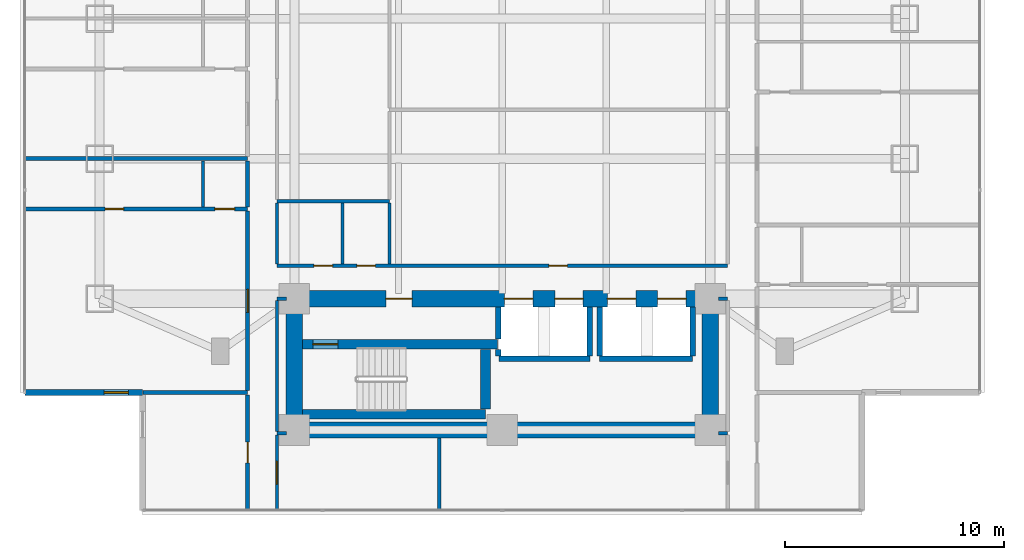
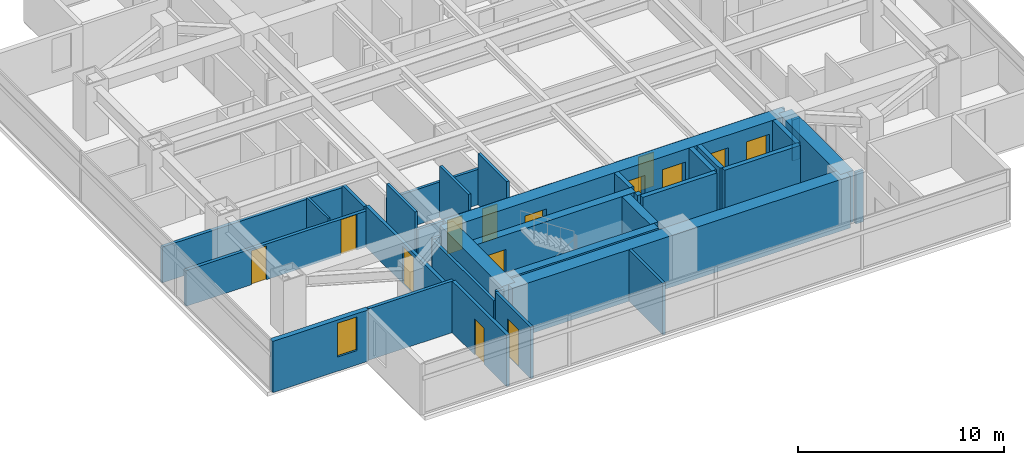
# One storey, part 13 of 25: 34 walls, 14 doors, 1 window, 15 openings.
"""IFC4 building model written with IfcOpenShell, lengths in metres."""

from ifc_helpers import new_model, si_unit, direction, frame, frame_2d, origin, place, context, subcontext, project, spatial, rectangle, extrude, material, layer, layer_set, type_object, element, fill, save


model = new_model("IFC4")

# Units and contexts
model_context = context("Model", 3, precision=1e-05, world=origin(), true_north=direction((0.0, 1.0)))
body_context = subcontext(model_context, "Body", "Model", "MODEL_VIEW")
ifc_project = project(units=[si_unit("LENGTHUNIT", "METRE"), si_unit("AREAUNIT", "SQUARE_METRE"), si_unit("VOLUMEUNIT", "CUBIC_METRE"), si_unit("PLANEANGLEUNIT", "RADIAN"), si_unit("MASSUNIT", "GRAM", prefix="KILO")], contexts=[model_context])

# Site, building, storey
site_placement = place(None, origin())
site = spatial("IfcSite", under=ifc_project, at=site_placement, CompositionType="ELEMENT")
building_placement = place(site_placement, origin())
building = spatial("IfcBuilding", under=site, at=building_placement, Name="Mirazonda Arch Towers", CompositionType="ELEMENT")
storey_placement = place(building_placement, frame((0.0, 0.0, 32.300048828125)))
storey = spatial("IfcBuildingStorey", under=building, at=storey_placement, Name="L08", CompositionType="ELEMENT", Elevation=32.300048828125)

# Wall
ifc_material_1 = material(Name="Concrete C50/60", Category="concrete")
ifc_layer_1 = layer(ifc_material_1, 0.449951171875, Name="WALL-CORE-450")
ifc_layer_set_1 = layer_set([ifc_layer_1], Name="Concrete C50/60")
wall_type_1 = type_object("IfcWallType", Name="WALL-CORE-450", PredefinedType="SHEAR", material=ifc_layer_set_1)
wall_1_placement = place(storey_placement, frame((11.3701171875, 13.1201171875, 0.0), z_axis=(0.0, 0.0, 1.0), x_axis=(1.0, 0.0, 0.0)))
element("IfcWall", 1, at=wall_1_placement, inside=storey, type_object=wall_type_1, Name="L08 Stair Core Shear Wall 003", PredefinedType="SHEAR", context=body_context, shape_type="SweptSolid", body=[
    extrude(rectangle(XDim=8.35986328125, YDim=0.449951171875, at=frame_2d((4.179931640625, 0.0))), origin(), (0.0, 0.0, 1.0), 3.06005859375),
])

# Wall, opening, door
wall_2_placement = place(storey_placement, frame((11.3701171875, 16.320068359375, 0.0), z_axis=(0.0, 0.0, 1.0), x_axis=(1.0, 0.0, 0.0)))
wall_2 = element("IfcWall", 2, at=wall_2_placement, inside=storey, type_object=wall_type_1, Name="L08 Stair Core Shear Wall 008", PredefinedType="SHEAR", context=body_context, shape_type="SweptSolid", body=[
    extrude(rectangle(XDim=8.909912109375, YDim=0.449951171875, at=frame_2d((4.455078125, 0.0))), origin(), (0.0, 0.0, 1.0), 3.06005859375),
])
opening_1_placement = place(wall_2_placement, frame((0.469970703125, 0.0, 0.0)))
opening_1 = element("IfcOpeningElement", 3, at=opening_1_placement, cuts=wall_2, Name="Opening DR-135", PredefinedType="OPENING", context=body_context, shape_type="SweptSolid", body=[
    extrude(rectangle(XDim=1.14990234375, YDim=2.199951171875, at=frame_2d((0.574951171875, 1.10009765625))), frame((0.0, 0.23486328125, 0.0), z_axis=(0.0, -1.0, 0.0), x_axis=(1.0, 0.0, 0.0)), (0.0, 0.0, 1.0), 0.469970703125),
])
ifc_material_2 = material(Name="Architectural Brushed Steel S355", Category="steel")
door_type_1 = type_object("IfcDoorType", Name="DOOR-STAIR-FD90-1150", OperationType="NOTDEFINED", PredefinedType="DOOR", material=ifc_material_2)
door_1_placement = place(opening_1_placement, origin())
door_1 = element("IfcDoor", 4, at=door_1_placement, inside=storey, type_object=door_type_1, Name="L08 Protected Exit Stair South Door", OperationType="SINGLE_SWING_LEFT", OverallHeight=2.199951171875, OverallWidth=1.14990234375, PredefinedType="DOOR", context=body_context, shape_type="SweptSolid", body=[
    extrude(rectangle(XDim=1.14990234375, YDim=2.199951171875, at=frame_2d((0.574951171875, 1.10009765625))), frame((0.0, 0.02490234375, 0.0), z_axis=(0.0, -1.0, 0.0), x_axis=(1.0, 0.0, 0.0)), (0.0, 0.0, 1.0), 0.050048828125),
])
fill(opening_1, door_1)

# Walls
wall_3_placement = place(storey_placement, frame((19.72998046875, 13.35498046875, 0.0), z_axis=(0.0, 0.0, 1.0), x_axis=(0.0, 1.0, 0.0)))
element("IfcWall", 5, at=wall_3_placement, inside=storey, type_object=wall_type_1, Name="L08 Stair Core Shear Wall 088", PredefinedType="SHEAR", context=body_context, shape_type="SweptSolid", body=[
    extrude(rectangle(XDim=2.72998046875, YDim=0.449951171875, at=frame_2d((1.364990234375, 0.0))), origin(), (0.0, 0.0, 1.0), 3.06005859375),
])
ifc_material_3 = material(Name="Concrete C60/75", Category="concrete")
ifc_layer_2 = layer(ifc_material_3, 0.75, Name="WALL-CORE-750")
ifc_layer_set_2 = layer_set([ifc_layer_2], Name="Concrete C60/75")
wall_type_2 = type_object("IfcWallType", Name="WALL-CORE-750", PredefinedType="SHEAR", material=ifc_layer_set_2)
wall_4_placement = place(storey_placement, frame((11.0, 12.39990234375, 0.0), z_axis=(0.0, 0.0, 1.0), x_axis=(1.0, 0.0, 0.0)))
element("IfcWall", 6, at=wall_4_placement, inside=storey, type_object=wall_type_2, Name="L08 T1S-S Core Shear Wall", PredefinedType="SHEAR", context=body_context, shape_type="SweptSolid", body=[
    extrude(rectangle(XDim=19.0, YDim=0.75, at=frame_2d((9.5, 0.0))), origin(), (0.0, 0.0, 1.0), 3.06005859375),
])
for number, where, z_axis, x_axis, name in (
    (7, (11.0, 12.39990234375, 0.0), (0.0, 0.0, 1.0), (0.0, 1.0, 0.0), "L08 T1S-W Core Shear Wall"),
    (8, (30.0, 12.39990234375, 0.0), (0.0, 0.0, 1.0), (0.0, 1.0, 0.0), "L08 T1S-E Core Shear Wall"),
):
    element("IfcWall", number, at=place(storey_placement, frame(where, z_axis=z_axis, x_axis=x_axis)), inside=storey, type_object=wall_type_2, Name=name, PredefinedType="SHEAR", context=body_context, shape_type="SweptSolid", body=[
        extrude(rectangle(XDim=6.0, YDim=0.75, at=frame_2d((3.0, 0.0))), origin(), (0.0, 0.0, 1.0), 3.06005859375),
    ])

# Wall, openings, doors
wall_5_placement = place(storey_placement, frame((11.0, 18.39990234375, 0.0), z_axis=(0.0, 0.0, 1.0), x_axis=(1.0, 0.0, 0.0)))
wall_5 = element("IfcWall", 9, at=wall_5_placement, inside=storey, type_object=wall_type_2, Name="L08 T1S-N Core Shear Wall", PredefinedType="SHEAR", context=body_context, shape_type="SweptSolid", body=[
    extrude(rectangle(XDim=19.0, YDim=0.75, at=frame_2d((9.5, 0.0))), origin(), (0.0, 0.0, 1.0), 3.06005859375),
])
opening_2_placement = place(wall_5_placement, frame((4.175048828125, 0.0, 0.0)))
opening_2 = element("IfcOpeningElement", 10, at=opening_2_placement, cuts=wall_5, Name="Opening DR-117", PredefinedType="OPENING", context=body_context, shape_type="SweptSolid", body=[
    extrude(rectangle(XDim=1.199951171875, YDim=2.25, at=frame_2d((0.60009765625, 1.125))), frame((0.0, 0.385009765625, 0.0), z_axis=(0.0, -1.0, 0.0), x_axis=(1.0, 0.0, 0.0)), (0.0, 0.0, 1.0), 0.77001953125),
])
opening_3_placement = place(wall_5_placement, frame((9.60009765625, 0.0, 0.0)))
opening_3 = element("IfcOpeningElement", 11, at=opening_3_placement, cuts=wall_5, Name="Opening LD-111", PredefinedType="OPENING", context=body_context, shape_type="SweptSolid", body=[
    extrude(rectangle(XDim=1.300048828125, YDim=2.300048828125, at=frame_2d((0.64990234375, 1.14990234375))), frame((0.0, 0.385009765625, 0.0), z_axis=(0.0, -1.0, 0.0), x_axis=(1.0, 0.0, 0.0)), (0.0, 0.0, 1.0), 0.77001953125),
])
opening_4_placement = place(wall_5_placement, frame((11.89990234375, 0.0, 0.0)))
opening_4 = element("IfcOpeningElement", 12, at=opening_4_placement, cuts=wall_5, Name="Opening LD-111", PredefinedType="OPENING", context=body_context, shape_type="SweptSolid", body=[
    extrude(rectangle(XDim=1.300048828125, YDim=2.300048828125, at=frame_2d((0.64990234375, 1.14990234375))), frame((0.0, 0.385009765625, 0.0), z_axis=(0.0, -1.0, 0.0), x_axis=(1.0, 0.0, 0.0)), (0.0, 0.0, 1.0), 0.77001953125),
])
opening_5_placement = place(wall_5_placement, frame((14.300048828125, 0.0, 0.0)))
opening_5 = element("IfcOpeningElement", 13, at=opening_5_placement, cuts=wall_5, Name="Opening LD-111", PredefinedType="OPENING", context=body_context, shape_type="SweptSolid", body=[
    extrude(rectangle(XDim=1.300048828125, YDim=2.300048828125, at=frame_2d((0.64990234375, 1.14990234375))), frame((0.0, 0.385009765625, 0.0), z_axis=(0.0, -1.0, 0.0), x_axis=(1.0, 0.0, 0.0)), (0.0, 0.0, 1.0), 0.77001953125),
])
opening_6_placement = place(wall_5_placement, frame((16.60009765625, 0.0, 0.0)))
opening_6 = element("IfcOpeningElement", 14, at=opening_6_placement, cuts=wall_5, Name="Opening LD-111", PredefinedType="OPENING", context=body_context, shape_type="SweptSolid", body=[
    extrude(rectangle(XDim=1.300048828125, YDim=2.300048828125, at=frame_2d((0.64990234375, 1.14990234375))), frame((0.0, 0.385009765625, 0.0), z_axis=(0.0, -1.0, 0.0), x_axis=(1.0, 0.0, 0.0)), (0.0, 0.0, 1.0), 0.77001953125),
])
door_type_2 = type_object("IfcDoorType", Name="DOOR-FFL-FD90-1200", OperationType="NOTDEFINED", PredefinedType="DOOR", material=ifc_material_2)
door_2_placement = place(opening_2_placement, origin())
door_2 = element("IfcDoor", 15, at=door_2_placement, inside=storey, type_object=door_type_2, Name="L08 South Core Stair & Lift Lobby Door", OperationType="SINGLE_SWING_RIGHT", OverallHeight=2.25, OverallWidth=1.199951171875, PredefinedType="DOOR", context=body_context, shape_type="SweptSolid", body=[
    extrude(rectangle(XDim=1.199951171875, YDim=2.25, at=frame_2d((0.60009765625, 1.125))), frame((0.0, 0.02490234375, 0.0), z_axis=(0.0, -1.0, 0.0), x_axis=(1.0, 0.0, 0.0)), (0.0, 0.0, 1.0), 0.050048828125),
])
fill(opening_2, door_2)
door_type_3 = type_object("IfcDoorType", Name="DOOR-LIFT-LAND-1300", OperationType="NOTDEFINED", PredefinedType="DOOR", material=ifc_material_2)
door_3_placement = place(opening_3_placement, origin())
door_3 = element("IfcDoor", 16, at=door_3_placement, inside=storey, type_object=door_type_3, Name="L08 Lift Landing Sliding Door PL-T1M1", OperationType="DOUBLE_DOOR_SLIDING", OverallHeight=2.300048828125, OverallWidth=1.300048828125, PredefinedType="DOOR", context=body_context, shape_type="SweptSolid", body=[
    extrude(rectangle(XDim=1.300048828125, YDim=2.300048828125, at=frame_2d((0.64990234375, 1.14990234375))), frame((0.0, 0.02490234375, 0.0), z_axis=(0.0, -1.0, 0.0), x_axis=(1.0, 0.0, 0.0)), (0.0, 0.0, 1.0), 0.050048828125),
])
fill(opening_3, door_3)
door_4_placement = place(opening_4_placement, origin())
door_4 = element("IfcDoor", 17, at=door_4_placement, inside=storey, type_object=door_type_3, Name="L08 Lift Landing Sliding Door PL-T1M2", OperationType="DOUBLE_DOOR_SLIDING", OverallHeight=2.300048828125, OverallWidth=1.300048828125, PredefinedType="DOOR", context=body_context, shape_type="SweptSolid", body=[
    extrude(rectangle(XDim=1.300048828125, YDim=2.300048828125, at=frame_2d((0.64990234375, 1.14990234375))), frame((0.0, 0.02490234375, 0.0), z_axis=(0.0, -1.0, 0.0), x_axis=(1.0, 0.0, 0.0)), (0.0, 0.0, 1.0), 0.050048828125),
])
fill(opening_4, door_4)
door_5_placement = place(opening_5_placement, origin())
door_5 = element("IfcDoor", 18, at=door_5_placement, inside=storey, type_object=door_type_3, Name="L08 Lift Landing Sliding Door PL-T1H1", OperationType="DOUBLE_DOOR_SLIDING", OverallHeight=2.300048828125, OverallWidth=1.300048828125, PredefinedType="DOOR", context=body_context, shape_type="SweptSolid", body=[
    extrude(rectangle(XDim=1.300048828125, YDim=2.300048828125, at=frame_2d((0.64990234375, 1.14990234375))), frame((0.0, 0.02490234375, 0.0), z_axis=(0.0, -1.0, 0.0), x_axis=(1.0, 0.0, 0.0)), (0.0, 0.0, 1.0), 0.050048828125),
])
fill(opening_5, door_5)
door_6_placement = place(opening_6_placement, origin())
door_6 = element("IfcDoor", 19, at=door_6_placement, inside=storey, type_object=door_type_3, Name="L08 Lift Landing Sliding Door PL-T1H2", OperationType="DOUBLE_DOOR_SLIDING", OverallHeight=2.300048828125, OverallWidth=1.300048828125, PredefinedType="DOOR", context=body_context, shape_type="SweptSolid", body=[
    extrude(rectangle(XDim=1.300048828125, YDim=2.300048828125, at=frame_2d((0.64990234375, 1.14990234375))), frame((0.0, 0.02490234375, 0.0), z_axis=(0.0, -1.0, 0.0), x_axis=(1.0, 0.0, 0.0)), (0.0, 0.0, 1.0), 0.050048828125),
])
fill(opening_6, door_6)

# Wall, opening, window
ifc_material_4 = material(Name="Precast Concrete C40/50", Category="concrete")
ifc_layer_3 = layer(ifc_material_4, 0.280029296875, Name="WALL-EXT-WALL-280")
ifc_layer_set_3 = layer_set([ifc_layer_3], Name="Precast Concrete C40/50")
wall_type_3 = type_object("IfcWallType", Name="WALL-EXT-WALL-280", PredefinedType="SOLIDWALL", material=ifc_layer_set_3)
wall_6_placement = place(storey_placement, frame((-1.320068359375, 14.10595703125, 0.0), z_axis=(0.0, 0.0, 1.0), x_axis=(1.0, 0.0, 0.0)))
wall_6 = element("IfcWall", 20, at=wall_6_placement, inside=storey, type_object=wall_type_3, Name="L08 T1 Corner Notch Return Wall WL-L08-T1-CSW2", PredefinedType="SOLIDWALL", context=body_context, shape_type="SweptSolid", body=[
    extrude(rectangle(XDim=5.380126953125, YDim=0.280029296875, at=frame_2d((2.68994140625, 0.0))), origin(), (0.0, 0.0, 1.0), 3.0400390625),
])
opening_7_placement = place(wall_6_placement, frame((3.6298828125, 0.0, 0.85009765625)))
opening_7 = element("IfcOpeningElement", 21, at=opening_7_placement, cuts=wall_6, Name="Opening WN-108", PredefinedType="OPENING", context=body_context, shape_type="SweptSolid", body=[
    extrude(rectangle(XDim=1.10009765625, YDim=2.0, at=frame_2d((0.550048828125, 1.0))), frame((0.0, 0.14990234375, 0.0), z_axis=(0.0, -1.0, 0.0), x_axis=(1.0, 0.0, 0.0)), (0.0, 0.0, 1.0), 0.300048828125),
])
ifc_material_5 = material(Name="Insulated Low-E Solar Glass", Category="glass")
window_type = type_object("IfcWindowType", Name="WIN-NOTCH-1100x2000", PartitioningType="SINGLE_PANEL", PredefinedType="WINDOW", material=ifc_material_5)
window_placement = place(opening_7_placement, origin())
window = element("IfcWindow", 22, at=window_placement, inside=storey, type_object=window_type, Name="L08 Punched Facade Window WN-L08-T1-CSW2", OverallHeight=2.0, OverallWidth=1.10009765625, PartitioningType="SINGLE_PANEL", PredefinedType="WINDOW", context=body_context, shape_type="SweptSolid", body=[
    extrude(rectangle(XDim=1.10009765625, YDim=2.0, at=frame_2d((0.550048828125, 1.0))), frame((0.0, 0.030029296875, 0.0), z_axis=(0.0, -1.0, 0.0), x_axis=(1.0, 0.0, 0.0)), (0.0, 0.0, 1.0), 0.06005859375),
])
fill(opening_7, window)

# Walls
ifc_material_6 = material(Name="Fire-Rated Gypsum Stud Partition")
ifc_layer_4 = layer(ifc_material_6, 0.14990234375, Name="WALL-PART-CORR-150")
ifc_layer_set_4 = layer_set([ifc_layer_4], Name="Fire-Rated Gypsum Stud Partition")
wall_type_4 = type_object("IfcWallType", Name="WALL-PART-CORR-150", PredefinedType="PARTITIONING", material=ifc_layer_set_4)
for number, where, z_axis, x_axis, name in (
    (23, (10.199951171875, 12.25, 0.0), (0.0, 0.0, 1.0), (1.0, 0.0, 0.0), "L08 Interior Partition 001"),
    (24, (30.3701171875, 12.25, 0.0), (0.0, 0.0, 1.0), (1.0, 0.0, 0.0), "L08 Interior Partition 002"),
):
    element("IfcWall", number, at=place(storey_placement, frame(where, z_axis=z_axis, x_axis=x_axis)), inside=storey, type_object=wall_type_4, Name=name, PredefinedType="PARTITIONING", context=body_context, shape_type="SweptSolid", body=[
        extrude(rectangle(XDim=0.429931640625, YDim=0.14990234375, at=frame_2d((0.21484375, 0.0))), origin(), (0.0, 0.0, 1.0), 3.06005859375),
    ])
for number, where, z_axis, x_axis, name in (
    (25, (10.199951171875, 18.39990234375, 0.0), (0.0, 0.0, 1.0), (1.0, 0.0, 0.0), "L08 Interior Partition 012"),
    (26, (30.3701171875, 18.39990234375, 0.0), (0.0, 0.0, 1.0), (1.0, 0.0, 0.0), "L08 Interior Partition 013"),
):
    element("IfcWall", number, at=place(storey_placement, frame(where, z_axis=z_axis, x_axis=x_axis)), inside=storey, type_object=wall_type_4, Name=name, PredefinedType="PARTITIONING", context=body_context, shape_type="SweptSolid", body=[
        extrude(rectangle(XDim=0.429931640625, YDim=0.14990234375, at=frame_2d((0.21484375, 0.0))), origin(), (0.0, 0.0, 1.0), 2.43603515625),
    ])

# Wall, openings, doors
wall_7_placement = place(storey_placement, frame((10.199951171875, 19.89990234375, 0.0), z_axis=(0.0, 0.0, 1.0), x_axis=(1.0, 0.0, 0.0)))
wall_7 = element("IfcWall", 27, at=wall_7_placement, inside=storey, type_object=wall_type_4, Name="L08 Interior Partition 016", PredefinedType="PARTITIONING", context=body_context, shape_type="SweptSolid", body=[
    extrude(rectangle(XDim=20.60009765625, YDim=0.14990234375, at=frame_2d((10.300048828125, 0.0))), origin(), (0.0, 0.0, 1.0), 2.10400390625),
])
opening_8_placement = place(wall_7_placement, frame((1.695068359375, 0.0, 0.0)))
opening_8 = element("IfcOpeningElement", 28, at=opening_8_placement, cuts=wall_7, Name="Opening DR-128", PredefinedType="OPENING", context=body_context, shape_type="SweptSolid", body=[
    extrude(rectangle(XDim=0.85009765625, YDim=2.010009765625, at=frame_2d((0.425048828125, 1.0048828125))), frame((0.0, 0.0849609375, 0.0), z_axis=(0.0, -1.0, 0.0), x_axis=(1.0, 0.0, 0.0)), (0.0, 0.0, 1.0), 0.169921875),
])
opening_9_placement = place(wall_7_placement, frame((3.64990234375, 0.0, 0.0)))
opening_9 = element("IfcOpeningElement", 29, at=opening_9_placement, cuts=wall_7, Name="Opening DR-128", PredefinedType="OPENING", context=body_context, shape_type="SweptSolid", body=[
    extrude(rectangle(XDim=0.85009765625, YDim=2.010009765625, at=frame_2d((0.425048828125, 1.0048828125))), frame((0.0, 0.0849609375, 0.0), z_axis=(0.0, -1.0, 0.0), x_axis=(1.0, 0.0, 0.0)), (0.0, 0.0, 1.0), 0.169921875),
])
opening_10_placement = place(wall_7_placement, frame((12.429931640625, 0.0, 0.0)))
opening_10 = element("IfcOpeningElement", 30, at=opening_10_placement, cuts=wall_7, Name="Opening DR-128", PredefinedType="OPENING", context=body_context, shape_type="SweptSolid", body=[
    extrude(rectangle(XDim=0.85009765625, YDim=2.010009765625, at=frame_2d((0.425048828125, 1.0048828125))), frame((0.0, 0.0849609375, 0.0), z_axis=(0.0, -1.0, 0.0), x_axis=(1.0, 0.0, 0.0)), (0.0, 0.0, 1.0), 0.169921875),
])
door_type_4 = type_object("IfcDoorType", Name="DOOR-RISER-FD60-850", OperationType="NOTDEFINED", PredefinedType="DOOR", material=ifc_material_2)
door_7_placement = place(opening_8_placement, origin())
door_7 = element("IfcDoor", 31, at=door_7_placement, inside=storey, type_object=door_type_4, Name="L08 Common Accessible WC Door", OperationType="SINGLE_SWING_RIGHT", OverallHeight=2.010009765625, OverallWidth=0.85009765625, PredefinedType="DOOR", context=body_context, shape_type="SweptSolid", body=[
    extrude(rectangle(XDim=0.85009765625, YDim=2.010009765625, at=frame_2d((0.425048828125, 1.0048828125))), frame((0.0, 0.02490234375, 0.0), z_axis=(0.0, -1.0, 0.0), x_axis=(1.0, 0.0, 0.0)), (0.0, 0.0, 1.0), 0.050048828125),
])
fill(opening_8, door_7)
door_8_placement = place(opening_9_placement, origin())
door_8 = element("IfcDoor", 32, at=door_8_placement, inside=storey, type_object=door_type_4, Name="L08 L08 West Courtyard Study Door", OperationType="SINGLE_SWING_LEFT", OverallHeight=2.010009765625, OverallWidth=0.85009765625, PredefinedType="DOOR", context=body_context, shape_type="SweptSolid", body=[
    extrude(rectangle(XDim=0.85009765625, YDim=2.010009765625, at=frame_2d((0.425048828125, 1.0048828125))), frame((0.0, 0.02490234375, 0.0), z_axis=(0.0, -1.0, 0.0), x_axis=(1.0, 0.0, 0.0)), (0.0, 0.0, 1.0), 0.050048828125),
])
fill(opening_9, door_8)
door_9_placement = place(opening_10_placement, origin())
door_9 = element("IfcDoor", 33, at=door_9_placement, inside=storey, type_object=door_type_4, Name="L08 Business Reading Study Door", OperationType="SINGLE_SWING_LEFT", OverallHeight=2.010009765625, OverallWidth=0.85009765625, PredefinedType="DOOR", context=body_context, shape_type="SweptSolid", body=[
    extrude(rectangle(XDim=0.85009765625, YDim=2.010009765625, at=frame_2d((0.425048828125, 1.0048828125))), frame((0.0, 0.02490234375, 0.0), z_axis=(0.0, -1.0, 0.0), x_axis=(1.0, 0.0, 0.0)), (0.0, 0.0, 1.0), 0.050048828125),
])
fill(opening_10, door_9)

# Wall
wall_8_placement = place(storey_placement, frame((10.199951171875, 22.85009765625, 0.0), z_axis=(0.0, 0.0, 1.0), x_axis=(1.0, 0.0, 0.0)))
element("IfcWall", 34, at=wall_8_placement, inside=storey, type_object=wall_type_4, Name="L08 Interior Partition 024", PredefinedType="PARTITIONING", context=body_context, shape_type="SweptSolid", body=[
    extrude(rectangle(XDim=5.150146484375, YDim=0.14990234375, at=frame_2d((2.5751953125, 0.0))), origin(), (0.0, 0.0, 1.0), 2.10400390625),
])

# Wall, opening, door
wall_9_placement = place(storey_placement, frame((10.199951171875, 8.72607421875, 0.0), z_axis=(0.0, 0.0, 1.0), x_axis=(0.0, 1.0, 0.0)))
wall_9 = element("IfcWall", 35, at=wall_9_placement, inside=storey, type_object=wall_type_4, Name="L08 Interior Partition 074", PredefinedType="PARTITIONING", context=body_context, shape_type="SweptSolid", body=[
    extrude(rectangle(XDim=3.43896484375, YDim=0.14990234375, at=frame_2d((1.719482421875, 0.0))), origin(), (0.0, 0.0, 1.0), 3.06005859375),
])
opening_11_placement = place(wall_9_placement, frame((1.194580078125, 0.0, 0.0)))
opening_11 = element("IfcOpeningElement", 36, at=opening_11_placement, cuts=wall_9, Name="Opening DR-121", PredefinedType="OPENING", context=body_context, shape_type="SweptSolid", body=[
    extrude(rectangle(XDim=1.050048828125, YDim=2.199951171875, at=frame_2d((0.52490234375, 1.10009765625))), frame((0.0, 0.0849609375, 0.0), z_axis=(0.0, -1.0, 0.0), x_axis=(1.0, 0.0, 0.0)), (0.0, 0.0, 1.0), 0.169921875),
])
door_type_5 = type_object("IfcDoorType", Name="DOOR-SUITE-FD60-1050", OperationType="NOTDEFINED", PredefinedType="DOOR", material=ifc_material_2)
door_10_placement = place(opening_11_placement, origin())
door_10 = element("IfcDoor", 37, at=door_10_placement, inside=storey, type_object=door_type_5, Name="L08 South Horizon Lounge Minor Door", OperationType="SINGLE_SWING_LEFT", OverallHeight=2.199951171875, OverallWidth=1.050048828125, PredefinedType="DOOR", context=body_context, shape_type="SweptSolid", body=[
    extrude(rectangle(XDim=1.050048828125, YDim=2.199951171875, at=frame_2d((0.52490234375, 1.10009765625))), frame((0.0, 0.02490234375, 0.0), z_axis=(0.0, -1.0, 0.0), x_axis=(1.0, 0.0, 0.0)), (0.0, 0.0, 1.0), 0.050048828125),
])
fill(opening_11, door_10)

# Walls
wall_10_placement = place(storey_placement, frame((10.199951171875, 12.3349609375, 0.0), z_axis=(0.0, 0.0, 1.0), x_axis=(0.0, 1.0, 0.0)))
element("IfcWall", 38, at=wall_10_placement, inside=storey, type_object=wall_type_4, Name="L08 Interior Partition 075", PredefinedType="PARTITIONING", context=body_context, shape_type="SweptSolid", body=[
    extrude(rectangle(XDim=5.97998046875, YDim=0.14990234375, at=frame_2d((2.989990234375, 0.0))), origin(), (0.0, 0.0, 1.0), 2.43603515625),
])
for number, where, z_axis, x_axis, name in (
    (39, (10.206787109375, 19.985107421875, 0.0), (0.0, 0.0, 1.0), (0.0, 1.0, 0.0), "L08 Interior Partition 076"),
    (40, (13.199951171875, 19.985107421875, 0.0), (0.0, 0.0, 1.0), (0.0, 1.0, 0.0), "L08 Interior Partition 081"),
    (41, (15.35009765625, 19.985107421875, 0.0), (0.0, 0.0, 1.0), (0.0, 1.0, 0.0), "L08 Interior Partition 082"),
):
    element("IfcWall", number, at=place(storey_placement, frame(where, z_axis=z_axis, x_axis=x_axis)), inside=storey, type_object=wall_type_4, Name=name, PredefinedType="PARTITIONING", context=body_context, shape_type="SweptSolid", body=[
        extrude(rectangle(XDim=2.77978515625, YDim=0.14990234375, at=frame_2d((1.389892578125, 0.0))), origin(), (0.0, 0.0, 1.0), 3.06005859375),
    ])
wall_11_placement = place(storey_placement, frame((17.615966796875, 8.72607421875, 0.0), z_axis=(0.0, 0.0, 1.0), x_axis=(0.0, 1.0, 0.0)))
element("IfcWall", 42, at=wall_11_placement, inside=storey, type_object=wall_type_4, Name="L08 Interior Partition 086", PredefinedType="PARTITIONING", context=body_context, shape_type="SweptSolid", body=[
    extrude(rectangle(XDim=3.303955078125, YDim=0.14990234375, at=frame_2d((1.65185546875, 0.0))), origin(), (0.0, 0.0, 1.0), 3.06005859375),
])
ifc_material_7 = material(Name="Fire-Rated Gypsum Twin-Stud Assembly")
ifc_layer_5 = layer(ifc_material_7, 0.179931640625, Name="WALL-PART-DEMISE-180")
ifc_layer_set_5 = layer_set([ifc_layer_5], Name="Fire-Rated Gypsum Twin-Stud Assembly")
wall_type_5 = type_object("IfcWallType", Name="WALL-PART-DEMISE-180", PredefinedType="PARTITIONING", material=ifc_layer_set_5)
wall_12_placement = place(storey_placement, frame((4.080078125, 14.10595703125, 0.0), z_axis=(0.0, 0.0, 1.0), x_axis=(1.0, 0.0, 0.0)))
element("IfcWall", 43, at=wall_12_placement, inside=storey, type_object=wall_type_5, Name="L08 Interior Partition 004", PredefinedType="PARTITIONING", context=body_context, shape_type="SweptSolid", body=[
    extrude(rectangle(XDim=4.780029296875, YDim=0.179931640625, at=frame_2d((2.39013671875, 0.0))), origin(), (0.0, 0.0, 1.0), 3.06005859375),
])

# Wall, openings, doors
wall_13_placement = place(storey_placement, frame((-1.320068359375, 22.5, 0.0), z_axis=(0.0, 0.0, 1.0), x_axis=(1.0, 0.0, 0.0)))
wall_13 = element("IfcWall", 44, at=wall_13_placement, inside=storey, type_object=wall_type_5, Name="L08 Interior Partition 022", PredefinedType="PARTITIONING", context=body_context, shape_type="SweptSolid", body=[
    extrude(rectangle(XDim=10.18017578125, YDim=0.179931640625, at=frame_2d((5.090087890625, 0.0))), origin(), (0.0, 0.0, 1.0), 2.125),
])
opening_12_placement = place(wall_13_placement, frame((3.6650390625, 0.0, 0.0)))
opening_12 = element("IfcOpeningElement", 45, at=opening_12_placement, cuts=wall_13, Name="Opening DR-128", PredefinedType="OPENING", context=body_context, shape_type="SweptSolid", body=[
    extrude(rectangle(XDim=0.85009765625, YDim=2.010009765625, at=frame_2d((0.425048828125, 1.0048828125))), frame((0.0, 0.099853515625, 0.0), z_axis=(0.0, -1.0, 0.0), x_axis=(1.0, 0.0, 0.0)), (0.0, 0.0, 1.0), 0.199951171875),
])
opening_13_placement = place(wall_13_placement, frame((8.68994140625, 0.0, 0.0)))
opening_13 = element("IfcOpeningElement", 46, at=opening_13_placement, cuts=wall_13, Name="Opening DR-120", PredefinedType="OPENING", context=body_context, shape_type="SweptSolid", body=[
    extrude(rectangle(XDim=0.89990234375, YDim=2.10009765625, at=frame_2d((0.449951171875, 1.050048828125))), frame((0.0, 0.099853515625, 0.0), z_axis=(0.0, -1.0, 0.0), x_axis=(1.0, 0.0, 0.0)), (0.0, 0.0, 1.0), 0.199951171875),
])
door_11_placement = place(opening_12_placement, origin())
door_11 = element("IfcDoor", 47, at=door_11_placement, inside=storey, type_object=door_type_4, Name="L08 Suite Bedroom 1 Door", OperationType="SINGLE_SWING_RIGHT", OverallHeight=2.010009765625, OverallWidth=0.85009765625, PredefinedType="DOOR", context=body_context, shape_type="SweptSolid", body=[
    extrude(rectangle(XDim=0.85009765625, YDim=2.010009765625, at=frame_2d((0.425048828125, 1.0048828125))), frame((0.0, 0.02490234375, 0.0), z_axis=(0.0, -1.0, 0.0), x_axis=(1.0, 0.0, 0.0)), (0.0, 0.0, 1.0), 0.050048828125),
])
fill(opening_12, door_11)
door_type_6 = type_object("IfcDoorType", Name="DOOR-WC-900", OperationType="NOTDEFINED", PredefinedType="DOOR", material=ifc_material_2)
door_12_placement = place(opening_13_placement, origin())
door_12 = element("IfcDoor", 48, at=door_12_placement, inside=storey, type_object=door_type_6, Name="L08 Suite En-Suite Bathroom 1 Door", OperationType="SINGLE_SWING_LEFT", OverallHeight=2.10009765625, OverallWidth=0.89990234375, PredefinedType="DOOR", context=body_context, shape_type="SweptSolid", body=[
    extrude(rectangle(XDim=0.89990234375, YDim=2.10009765625, at=frame_2d((0.449951171875, 1.050048828125))), frame((0.0, 0.02490234375, 0.0), z_axis=(0.0, -1.0, 0.0), x_axis=(1.0, 0.0, 0.0)), (0.0, 0.0, 1.0), 0.050048828125),
])
fill(opening_13, door_12)

# Wall
wall_14_placement = place(storey_placement, frame((-1.320068359375, 24.800048828125, 0.0), z_axis=(0.0, 0.0, 1.0), x_axis=(1.0, 0.0, 0.0)))
element("IfcWall", 49, at=wall_14_placement, inside=storey, type_object=wall_type_5, Name="L08 Interior Partition 027", PredefinedType="PARTITIONING", context=body_context, shape_type="SweptSolid", body=[
    extrude(rectangle(XDim=10.18017578125, YDim=0.179931640625, at=frame_2d((5.090087890625, 0.0))), origin(), (0.0, 0.0, 1.0), 2.125),
])

# Wall, opening, door
wall_15_placement = place(storey_placement, frame((8.860107421875, 8.72607421875, 0.0), z_axis=(0.0, 0.0, 1.0), x_axis=(0.0, 1.0, 0.0)))
wall_15 = element("IfcWall", 50, at=wall_15_placement, inside=storey, type_object=wall_type_5, Name="L08 Interior Partition 066", PredefinedType="PARTITIONING", context=body_context, shape_type="SweptSolid", body=[
    extrude(rectangle(XDim=5.280029296875, YDim=0.179931640625, at=frame_2d((2.64013671875, 0.0))), origin(), (0.0, 0.0, 1.0), 3.06005859375),
])
opening_14_placement = place(wall_15_placement, frame((2.1650390625, 0.0, 0.0)))
opening_14 = element("IfcOpeningElement", 51, at=opening_14_placement, cuts=wall_15, Name="Opening DR-104", PredefinedType="OPENING", context=body_context, shape_type="SweptSolid", body=[
    extrude(rectangle(XDim=0.949951171875, YDim=2.14990234375, at=frame_2d((0.47509765625, 1.074951171875))), frame((0.0, 0.099853515625, 0.0), z_axis=(0.0, -1.0, 0.0), x_axis=(1.0, 0.0, 0.0)), (0.0, 0.0, 1.0), 0.199951171875),
])
door_type_7 = type_object("IfcDoorType", Name="DOOR-ROOM-950", OperationType="NOTDEFINED", PredefinedType="DOOR", material=ifc_material_2)
door_13_placement = place(opening_14_placement, origin())
door_13 = element("IfcDoor", 52, at=door_13_placement, inside=storey, type_object=door_type_7, Name="L08 South Horizon Lounge Alcove West Door", OperationType="SINGLE_SWING_LEFT", OverallHeight=2.14990234375, OverallWidth=0.949951171875, PredefinedType="DOOR", context=body_context, shape_type="SweptSolid", body=[
    extrude(rectangle(XDim=0.949951171875, YDim=2.14990234375, at=frame_2d((0.47509765625, 1.074951171875))), frame((0.0, 0.02490234375, 0.0), z_axis=(0.0, -1.0, 0.0), x_axis=(1.0, 0.0, 0.0)), (0.0, 0.0, 1.0), 0.050048828125),
])
fill(opening_14, door_13)

wall_16_placement = place(storey_placement, frame((8.860107421875, 14.2060546875, 0.0), z_axis=(0.0, 0.0, 1.0), x_axis=(0.0, 1.0, 0.0)))
wall_16 = element("IfcWall", 53, at=wall_16_placement, inside=storey, type_object=wall_type_5, Name="L08 Interior Partition 067", PredefinedType="PARTITIONING", context=body_context, shape_type="SweptSolid", body=[
    extrude(rectangle(XDim=8.19384765625, YDim=0.179931640625, at=frame_2d((4.096923828125, 0.0))), origin(), (0.0, 0.0, 1.0), 2.43603515625),
])
opening_15_placement = place(wall_16_placement, frame((3.572021484375, 0.0, 0.0)))
opening_15 = element("IfcOpeningElement", 54, at=opening_15_placement, cuts=wall_16, Name="Opening DR-121", PredefinedType="OPENING", context=body_context, shape_type="SweptSolid", body=[
    extrude(rectangle(XDim=1.050048828125, YDim=2.199951171875, at=frame_2d((0.52490234375, 1.10009765625))), frame((0.0, 0.099853515625, 0.0), z_axis=(0.0, -1.0, 0.0), x_axis=(1.0, 0.0, 0.0)), (0.0, 0.0, 1.0), 0.199951171875),
])
door_14_placement = place(opening_15_placement, origin())
door_14 = element("IfcDoor", 55, at=door_14_placement, inside=storey, type_object=door_type_5, Name="L08 Presidential Hotel Suite 1 Door", OperationType="SINGLE_SWING_LEFT", OverallHeight=2.199951171875, OverallWidth=1.050048828125, PredefinedType="DOOR", context=body_context, shape_type="SweptSolid", body=[
    extrude(rectangle(XDim=1.050048828125, YDim=2.199951171875, at=frame_2d((0.52490234375, 1.10009765625))), frame((0.0, 0.02490234375, 0.0), z_axis=(0.0, -1.0, 0.0), x_axis=(1.0, 0.0, 0.0)), (0.0, 0.0, 1.0), 0.050048828125),
])
fill(opening_15, door_14)

# Walls
wall_17_placement = place(storey_placement, frame((8.860107421875, 22.60009765625, 0.0), z_axis=(0.0, 0.0, 1.0), x_axis=(0.0, 1.0, 0.0)))
element("IfcWall", 56, at=wall_17_placement, inside=storey, type_object=wall_type_5, Name="L08 Interior Partition 068", PredefinedType="PARTITIONING", context=body_context, shape_type="SweptSolid", body=[
    extrude(rectangle(XDim=2.099853515625, YDim=0.179931640625, at=frame_2d((1.0498046875, 0.0))), origin(), (0.0, 0.0, 1.0), 2.279052734375),
])
ifc_material_8 = material(Name="Acoustic Fire-Rated Gypsum Partition")
ifc_layer_6 = layer(ifc_material_8, 0.125, Name="WALL-PART-UNIT-125")
ifc_layer_set_6 = layer_set([ifc_layer_6], Name="Acoustic Fire-Rated Gypsum Partition")
wall_type_6 = type_object("IfcWallType", Name="WALL-PART-UNIT-125", PredefinedType="PARTITIONING", material=ifc_layer_set_6)
wall_18_placement = place(storey_placement, frame((6.820068359375, 22.60009765625, 0.0), z_axis=(0.0, 0.0, 1.0), x_axis=(0.0, 1.0, 0.0)))
element("IfcWall", 57, at=wall_18_placement, inside=storey, type_object=wall_type_6, Name="L08 Interior Partition 063", PredefinedType="PARTITIONING", context=body_context, shape_type="SweptSolid", body=[
    extrude(rectangle(XDim=2.099853515625, YDim=0.125, at=frame_2d((1.0498046875, 0.0))), origin(), (0.0, 0.0, 1.0), 2.279052734375),
])
ifc_material_9 = material(Name="Concrete C40/50", Category="concrete")
ifc_layer_7 = layer(ifc_material_9, 0.25, Name="WALL-SHAFT-250")
ifc_layer_set_7 = layer_set([ifc_layer_7], Name="Concrete C40/50")
wall_type_7 = type_object("IfcWallType", Name="WALL-SHAFT-250", PredefinedType="SOLIDWALL", material=ifc_layer_set_7)
wall_19_placement = place(storey_placement, frame((20.35009765625, 15.64990234375, 0.0), z_axis=(0.0, 0.0, 1.0), x_axis=(1.0, 0.0, 0.0)))
element("IfcWall", 58, at=wall_19_placement, inside=storey, type_object=wall_type_7, Name="L08 Interior Partition 006", PredefinedType="SOLIDWALL", context=body_context, shape_type="SweptSolid", body=[
    extrude(rectangle(XDim=4.14990234375, YDim=0.25, at=frame_2d((2.074951171875, 0.0))), origin(), (0.0, 0.0, 1.0), 3.06005859375),
])
wall_20_placement = place(storey_placement, frame((24.949951171875, 15.64990234375, 0.0), z_axis=(0.0, 0.0, 1.0), x_axis=(1.0, 0.0, 0.0)))
element("IfcWall", 59, at=wall_20_placement, inside=storey, type_object=wall_type_7, Name="L08 Interior Partition 007", PredefinedType="SOLIDWALL", context=body_context, shape_type="SweptSolid", body=[
    extrude(rectangle(XDim=4.25, YDim=0.25, at=frame_2d((2.125, 0.0))), origin(), (0.0, 0.0, 1.0), 3.06005859375),
])
wall_21_placement = place(storey_placement, frame((20.31494140625, 15.784912109375, 0.0), z_axis=(0.0, 0.0, 1.0), x_axis=(0.0, 1.0, 0.0)))
element("IfcWall", 60, at=wall_21_placement, inside=storey, type_object=wall_type_7, Name="L08 Interior Partition 090", PredefinedType="SOLIDWALL", context=body_context, shape_type="SweptSolid", body=[
    extrude(rectangle(XDim=0.300048828125, YDim=0.25, at=frame_2d((0.14990234375, 0.0))), origin(), (0.0, 0.0, 1.0), 3.06005859375),
])
wall_22_placement = place(storey_placement, frame((20.31494140625, 16.554931640625, 0.0), z_axis=(0.0, 0.0, 1.0), x_axis=(0.0, 1.0, 0.0)))
element("IfcWall", 61, at=wall_22_placement, inside=storey, type_object=wall_type_7, Name="L08 Interior Partition 091", PredefinedType="SOLIDWALL", context=body_context, shape_type="SweptSolid", body=[
    extrude(rectangle(XDim=1.47509765625, YDim=0.25, at=frame_2d((0.737548828125, 0.0))), origin(), (0.0, 0.0, 1.0), 3.06005859375),
])
for number, where, z_axis, x_axis, name in (
    (62, (24.5, 15.784912109375, 0.0), (0.0, 0.0, 1.0), (0.0, 1.0, 0.0), "L08 Interior Partition 092"),
    (63, (24.949951171875, 15.784912109375, 0.0), (0.0, 0.0, 1.0), (0.0, 1.0, 0.0), "L08 Interior Partition 094"),
    (64, (29.199951171875, 15.784912109375, 0.0), (0.0, 0.0, 1.0), (0.0, 1.0, 0.0), "L08 Interior Partition 097"),
):
    element("IfcWall", number, at=place(storey_placement, frame(where, z_axis=z_axis, x_axis=x_axis)), inside=storey, type_object=wall_type_7, Name=name, PredefinedType="SOLIDWALL", context=body_context, shape_type="SweptSolid", body=[
        extrude(rectangle(XDim=2.2451171875, YDim=0.25, at=frame_2d((1.12255859375, 0.0))), origin(), (0.0, 0.0, 1.0), 3.06005859375),
    ])

save(model, "model.ifc")
